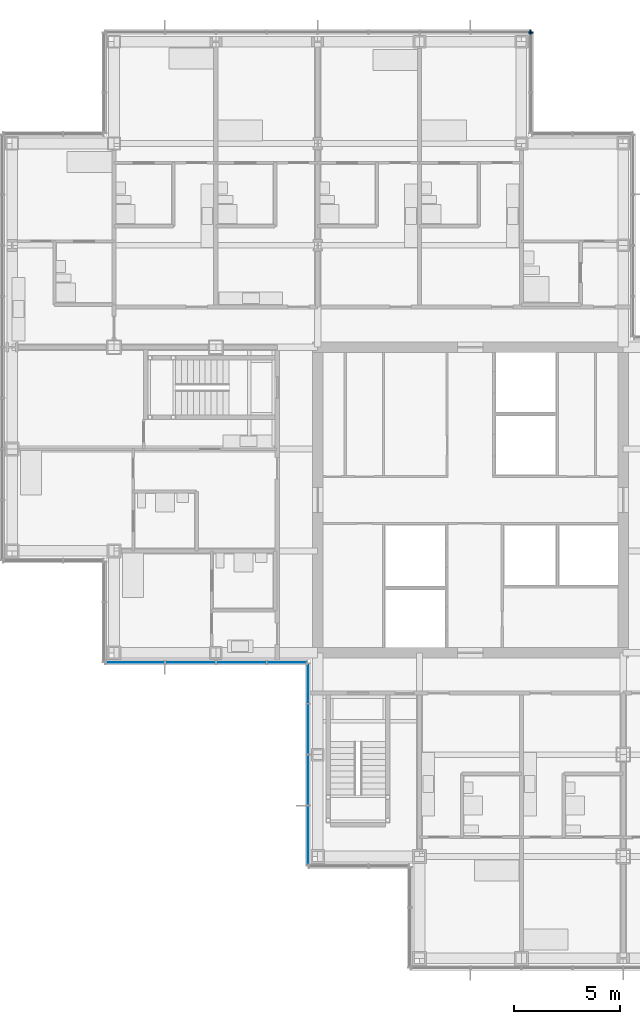
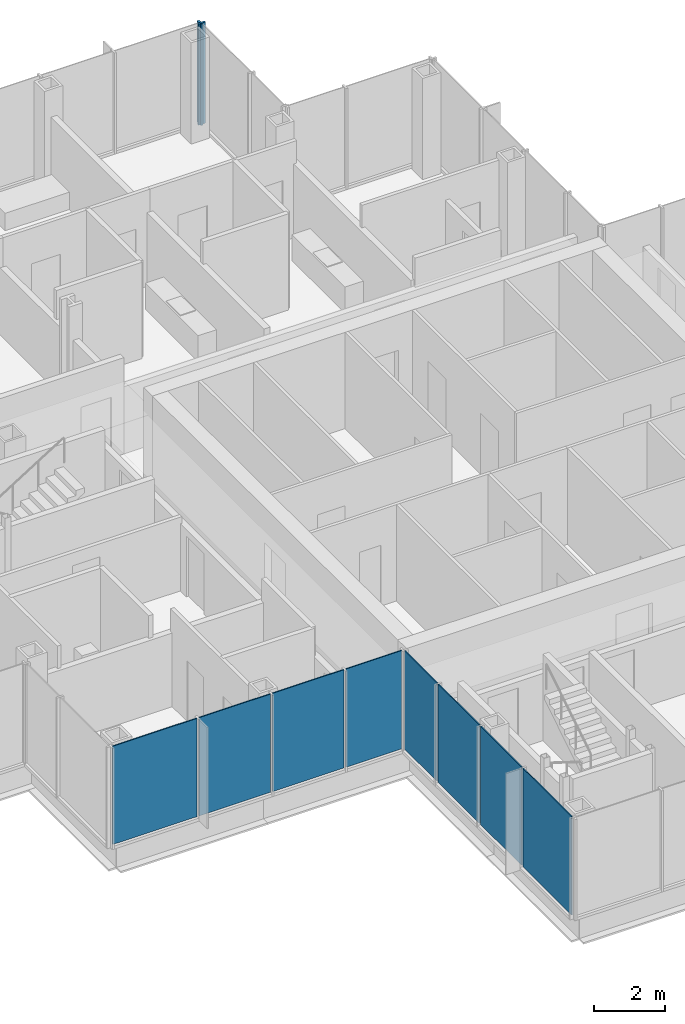
# One storey, part 11 of 20: 8 plates, 2 members, 4 elements without a shape of their own.
"""IFC4 building model written with IfcOpenShell, lengths in metres."""

from ifc_helpers import new_model, si_unit, direction, frame, origin, origin_2d, place, context, subcontext, project, spatial, rectangle, extrude, material, layer, layer_set, material_profile, profile_set, type_object, element, aggregate, save


model = new_model("IFC4")

# Units and contexts
model_context = context("Model", 3, precision=1e-05, world=origin(), true_north=direction((0.0, 1.0)))
body_context = subcontext(model_context, "Body", "Model", "MODEL_VIEW")
ifc_project = project(units=[si_unit("LENGTHUNIT", "METRE"), si_unit("AREAUNIT", "SQUARE_METRE"), si_unit("VOLUMEUNIT", "CUBIC_METRE"), si_unit("PLANEANGLEUNIT", "RADIAN"), si_unit("MASSUNIT", "GRAM", prefix="KILO")], contexts=[model_context])

# Site, building, storey
site_placement = place(None, origin())
site = spatial("IfcSite", under=ifc_project, at=site_placement, CompositionType="ELEMENT")
building_placement = place(site_placement, origin())
building = spatial("IfcBuilding", under=site, at=building_placement, Name="Kvirike Care Tower", CompositionType="ELEMENT")
storey_placement = place(building_placement, frame((0.0, 0.0, 91.0)))
storey = spatial("IfcBuildingStorey", under=building, at=storey_placement, Name="L24", CompositionType="ELEMENT", Elevation=91.0)

# Curtain wall, member
ifc_material_1 = material(Name="Anodised aluminium stick system", Category="aluminium")
curtain_wall_type = type_object("IfcCurtainWallType", Name="CW-B STICK CURTAIN WALL", PredefinedType="NOTDEFINED", material=ifc_material_1)
curtain_wall_1_placement = place(storey_placement, origin())
curtain_wall_1 = element("IfcCurtainWall", 1, at=curtain_wall_1_placement, inside=storey, type_object=curtain_wall_type, Name="Curtain wall L24 face 7", PredefinedType="NOTDEFINED")
ifc_material_2 = material(Name="Bronze anodised aluminium mullion", Category="aluminium")
ifc_material_profile = material_profile(ifc_material_2, rectangle(XDim=0.06494140625, YDim=0.219970703125, at=origin_2d()), Name="CW-B MULLION 65x220")
ifc_profile_set = profile_set([ifc_material_profile], Name="Bronze anodised aluminium mullion")
member_type = type_object("IfcMemberType", Name="CW-B MULLION 65x220", PredefinedType="MULLION", material=ifc_profile_set)
member_1_placement = place(storey_placement, frame((24.4599609375, 58.027587890625, 0.0), z_axis=(0.0, 0.0, 1.0), x_axis=(0.0, 1.0, 0.0)))
member_1 = element("IfcMember", 2, at=member_1_placement, type_object=member_type, Name="CW-B mullion L24 face 7.3", PredefinedType="MULLION", context=body_context, shape_type="SweptSolid", body=[
    extrude(rectangle(XDim=0.06494140625, YDim=0.219970703125, at=origin_2d()), origin(), (0.0, 0.0, 1.0), 3.5),
])
aggregate(curtain_wall_1, [member_1])

curtain_wall_2_placement = place(storey_placement, origin())
curtain_wall_2 = element("IfcCurtainWall", 3, at=curtain_wall_2_placement, inside=storey, type_object=curtain_wall_type, Name="Curtain wall L24 face 8", PredefinedType="NOTDEFINED")
member_2_placement = place(storey_placement, frame((24.427490234375, 58.06005859375, 0.0), z_axis=(0.0, 0.0, 1.0), x_axis=(-1.0, 0.0, 0.0)))
member_2 = element("IfcMember", 4, at=member_2_placement, type_object=member_type, Name="CW-B mullion L24 face 8.1", PredefinedType="MULLION", context=body_context, shape_type="SweptSolid", body=[
    extrude(rectangle(XDim=0.06494140625, YDim=0.219970703125, at=origin_2d()), origin(), (0.0, 0.0, 1.0), 3.5),
])
aggregate(curtain_wall_2, [member_2])

# Curtain wall, plates
curtain_wall_3_placement = place(storey_placement, origin())
curtain_wall_3 = element("IfcCurtainWall", 5, at=curtain_wall_3_placement, inside=storey, type_object=curtain_wall_type, Name="Curtain wall L24 face 14", PredefinedType="NOTDEFINED")
ifc_material_3 = material(Name="Tinted double glazed unit", Category="glass")
ifc_layer = layer(ifc_material_3, 0.035888671875)
ifc_layer_set = layer_set([ifc_layer], Name="TINTED VISION PANEL 36")
plate_type = type_object("IfcPlateType", Name="TINTED VISION PANEL 36", PredefinedType="CURTAIN_PANEL", material=ifc_layer_set)
plate_1_placement = place(storey_placement, frame((5.7861328125, 28.340087890625, 0.10009765625), z_axis=(0.0, 0.0, 1.0), x_axis=(1.0, 0.0, 0.0)))
plate_1 = element("IfcPlate", 6, at=plate_1_placement, type_object=plate_type, Name="CW-B panel L24 face 14.1", PredefinedType="CURTAIN_PANEL", context=body_context, shape_type="SweptSolid", body=[
    extrude(rectangle(XDim=2.762451171875, YDim=0.035888671875, at=origin_2d()), origin(), (0.0, 0.0, 1.0), 3.39990234375),
])
plate_2_placement = place(storey_placement, frame((8.39990234375, 28.340087890625, 0.10009765625), z_axis=(0.0, 0.0, 1.0), x_axis=(1.0, 0.0, 0.0)))
plate_2 = element("IfcPlate", 7, at=plate_2_placement, type_object=plate_type, Name="CW-B panel L24 face 14.2", PredefinedType="CURTAIN_PANEL", context=body_context, shape_type="SweptSolid", body=[
    extrude(rectangle(XDim=2.3349609375, YDim=0.035888671875, at=origin_2d()), origin(), (0.0, 0.0, 1.0), 3.39990234375),
])
plate_3_placement = place(storey_placement, frame((10.800048828125, 28.340087890625, 0.10009765625), z_axis=(0.0, 0.0, 1.0), x_axis=(1.0, 0.0, 0.0)))
plate_3 = element("IfcPlate", 8, at=plate_3_placement, type_object=plate_type, Name="CW-B panel L24 face 14.3", PredefinedType="CURTAIN_PANEL", context=body_context, shape_type="SweptSolid", body=[
    extrude(rectangle(XDim=2.3349609375, YDim=0.035888671875, at=origin_2d()), origin(), (0.0, 0.0, 1.0), 3.39990234375),
])
plate_4_placement = place(storey_placement, frame((12.953857421875, 28.340087890625, 0.10009765625), z_axis=(0.0, 0.0, 1.0), x_axis=(1.0, 0.0, 0.0)))
plate_4 = element("IfcPlate", 9, at=plate_4_placement, type_object=plate_type, Name="CW-B panel L24 face 14.4", PredefinedType="CURTAIN_PANEL", context=body_context, shape_type="SweptSolid", body=[
    extrude(rectangle(XDim=1.842529296875, YDim=0.035888671875, at=origin_2d()), origin(), (0.0, 0.0, 1.0), 3.39990234375),
])
aggregate(curtain_wall_3, [plate_1, plate_2, plate_3, plate_4])

curtain_wall_4_placement = place(storey_placement, origin())
curtain_wall_4 = element("IfcCurtainWall", 10, at=curtain_wall_4_placement, inside=storey, type_object=curtain_wall_type, Name="Curtain wall L24 face 15", PredefinedType="NOTDEFINED")
plate_5_placement = place(storey_placement, frame((13.93994140625, 27.353759765625, 0.10009765625), z_axis=(0.0, 0.0, 1.0), x_axis=(0.0, -1.0, 0.0)))
plate_5 = element("IfcPlate", 11, at=plate_5_placement, type_object=plate_type, Name="CW-B panel L24 face 15.1", PredefinedType="CURTAIN_PANEL", context=body_context, shape_type="SweptSolid", body=[
    extrude(rectangle(XDim=1.842529296875, YDim=0.035888671875, at=origin_2d()), origin(), (0.0, 0.0, 1.0), 3.39990234375),
])
plate_6_placement = place(storey_placement, frame((13.93994140625, 25.199951171875, 0.10009765625), z_axis=(0.0, 0.0, 1.0), x_axis=(0.0, -1.0, 0.0)))
plate_6 = element("IfcPlate", 12, at=plate_6_placement, type_object=plate_type, Name="CW-B panel L24 face 15.2", PredefinedType="CURTAIN_PANEL", context=body_context, shape_type="SweptSolid", body=[
    extrude(rectangle(XDim=2.3349609375, YDim=0.035888671875, at=origin_2d()), origin(), (0.0, 0.0, 1.0), 3.39990234375),
])
plate_7_placement = place(storey_placement, frame((13.93994140625, 22.800048828125, 0.10009765625), z_axis=(0.0, 0.0, 1.0), x_axis=(0.0, -1.0, 0.0)))
plate_7 = element("IfcPlate", 13, at=plate_7_placement, type_object=plate_type, Name="CW-B panel L24 face 15.3", PredefinedType="CURTAIN_PANEL", context=body_context, shape_type="SweptSolid", body=[
    extrude(rectangle(XDim=2.3349609375, YDim=0.035888671875, at=origin_2d()), origin(), (0.0, 0.0, 1.0), 3.39990234375),
])
plate_8_placement = place(storey_placement, frame((13.93994140625, 20.186279296875, 0.10009765625), z_axis=(0.0, 0.0, 1.0), x_axis=(0.0, -1.0, 0.0)))
plate_8 = element("IfcPlate", 14, at=plate_8_placement, type_object=plate_type, Name="CW-B panel L24 face 15.4", PredefinedType="CURTAIN_PANEL", context=body_context, shape_type="SweptSolid", body=[
    extrude(rectangle(XDim=2.762451171875, YDim=0.035888671875, at=origin_2d()), origin(), (0.0, 0.0, 1.0), 3.39990234375),
])
aggregate(curtain_wall_4, [plate_5, plate_6, plate_7, plate_8])

save(model, "model.ifc")
